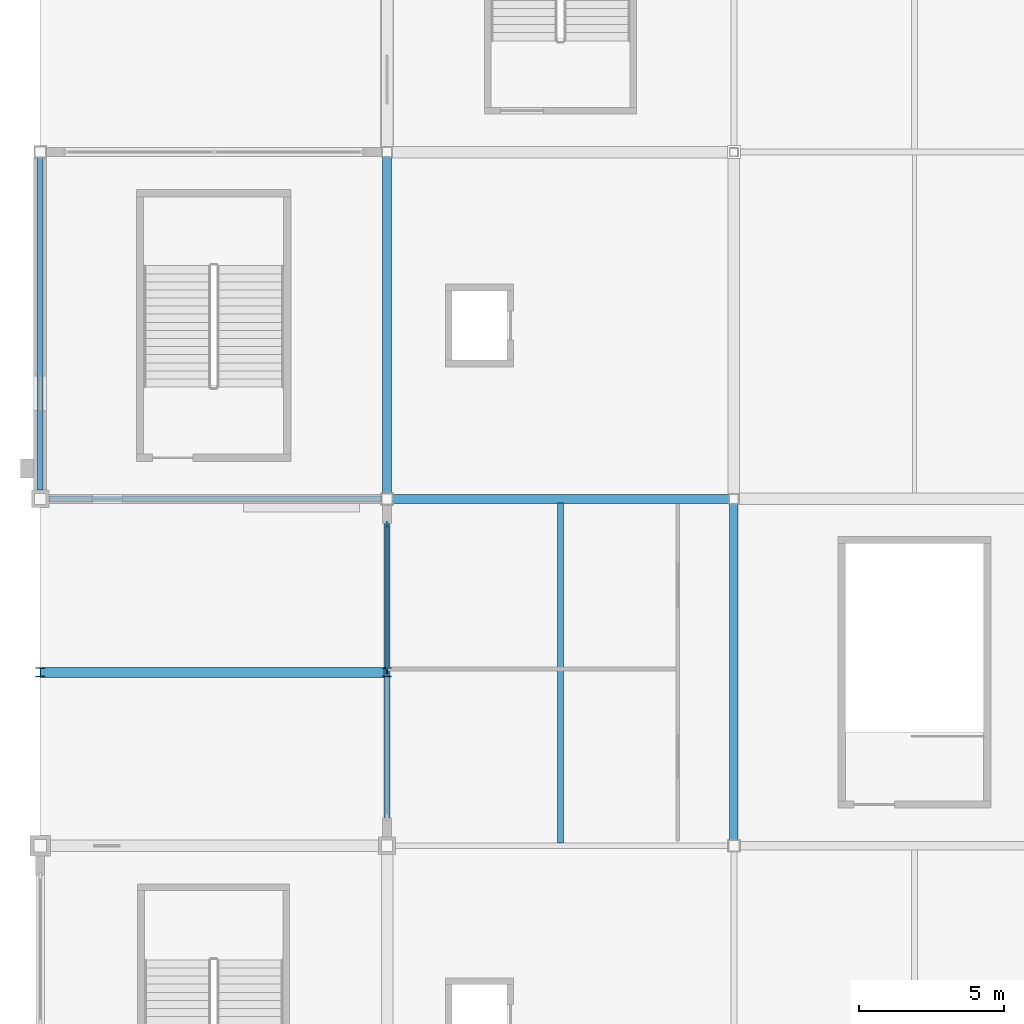
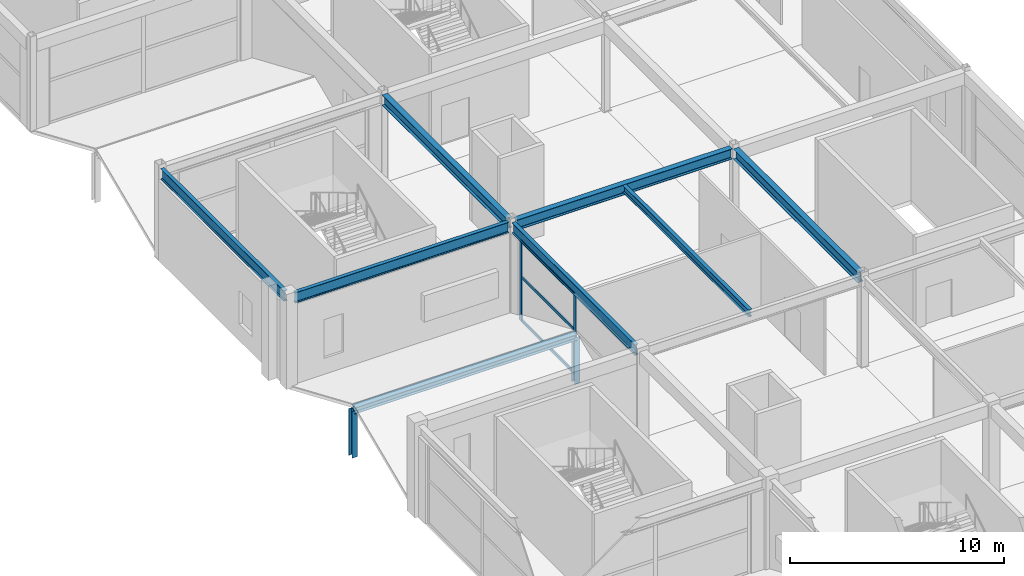
# One storey, part 34 of 105: 8 members, 7 beams, 1 element without a shape of its own.
"""IFC4 building model written with IfcOpenShell, lengths in metres."""

import ifcopenshell
import ifcopenshell.guid

model = None  # the IFC model being written
_history = None  # IfcOwnerHistory: only IFC2X3 demands one
_inside = {}  # id of a spatial element -> (the spatial element, [elements in it])
_under = {}  # id of a project, library or spatial element -> (it, [spatial elements below it])
_declared = {}  # id of a project -> (the project, [libraries it declares])
_typed = {}  # id of a type object -> (the type object, [elements of that type])
_made_of = {}  # id of a material, layer set ... -> (it, [elements and type objects made of it])


def new_model(schema):
    """Start an empty IFC model of exactly this schema.

    Asked for "IFC4X3", IfcOpenShell would pick the latest addendum, in which some entities
    have other attributes; the version numbers below select the first issue.
    IFC2X3 requires an IfcOwnerHistory on every rooted entity: one is made here for all.
    """
    global model, _history
    if schema == "IFC4X3":
        model = ifcopenshell.file(schema_version=(4, 3, 0, 0))
    else:
        model = ifcopenshell.file(schema=schema)
    _inside.clear()
    _under.clear()
    _declared.clear()
    _typed.clear()
    _made_of.clear()
    _history = None
    if model.schema == "IFC2X3":
        org = make("IfcOrganization", Name="unknown")
        user = make(
            "IfcPersonAndOrganization",
            ThePerson=make("IfcPerson", FamilyName="unknown"),
            TheOrganization=org,
        )
        app = make(
            "IfcApplication",
            ApplicationDeveloper=org,
            Version="unknown",
            ApplicationFullName="unknown",
            ApplicationIdentifier="unknown",
        )
        _history = make(
            "IfcOwnerHistory",
            OwningUser=user,
            OwningApplication=app,
            ChangeAction="ADDED",
            CreationDate=0,
        )
    return model


def make(cls, **values):
    """One entity of the class cls with the attributes given. An attribute that is None is left unset."""
    return model.create_entity(
        cls, **{name: value for name, value in values.items() if value is not None}
    )


def rooted(cls, **values):
    """An entity with a GlobalId (a new one), such as an element, a storey or a relation."""
    return make(cls, GlobalId=ifcopenshell.guid.new(), OwnerHistory=_history, **values)


def si_unit(unit_type, name, prefix=None):
    """IfcSIUnit, for example si_unit("LENGTHUNIT", "METRE", prefix="MILLI")."""
    return make("IfcSIUnit", UnitType=unit_type, Prefix=prefix, Name=name)


def assignment(units):
    """IfcUnitAssignment: the units of a project."""
    return None if units is None else make("IfcUnitAssignment", Units=units)


def point(xyz):
    """IfcCartesianPoint."""
    return None if xyz is None else make("IfcCartesianPoint", Coordinates=xyz)


def direction(xyz):
    """IfcDirection."""
    return None if xyz is None else make("IfcDirection", DirectionRatios=xyz)


def frame(location, z_axis=None, x_axis=None):
    """IfcAxis2Placement3D, a coordinate frame: its origin and axes. An axis left out is left unset."""
    return make(
        "IfcAxis2Placement3D",
        Location=point(location),
        Axis=direction(z_axis),
        RefDirection=direction(x_axis),
    )


def frame_2d(location, x_axis=None):
    """IfcAxis2Placement2D, a coordinate frame in the plane: its origin and x axis."""
    return make(
        "IfcAxis2Placement2D", Location=point(location), RefDirection=direction(x_axis)
    )


def origin():
    """The frame at (0, 0, 0) with its axes left unset."""
    return frame((0.0, 0.0, 0.0))


def origin_2d():
    """The frame at (0, 0) in the plane with its x axis left unset."""
    return frame_2d((0.0, 0.0))


def place(relative_to, where):
    """IfcLocalPlacement: puts the frame where relative to a parent placement (None: the world)."""
    return make(
        "IfcLocalPlacement", PlacementRelTo=relative_to, RelativePlacement=where
    )


def context(
    kind, dimensions, precision=None, world=None, true_north=None, identifier=None
):
    """IfcGeometricRepresentationContext, for example the 3D "Model" context."""
    return make(
        "IfcGeometricRepresentationContext",
        ContextIdentifier=identifier,
        ContextType=kind,
        CoordinateSpaceDimension=dimensions,
        Precision=precision,
        WorldCoordinateSystem=world,
        TrueNorth=true_north,
    )


def subcontext(parent, identifier, kind, view, scale=None):
    """IfcGeometricRepresentationSubContext, for example "Body" below "Model"."""
    return make(
        "IfcGeometricRepresentationSubContext",
        ContextIdentifier=identifier,
        ContextType=kind,
        ParentContext=parent,
        TargetScale=scale,
        TargetView=view,
    )


def project(units=None, contexts=None):
    """IfcProject with its units and contexts."""
    return rooted(
        "IfcProject",
        Name="project",
        RepresentationContexts=contexts,
        UnitsInContext=assignment(units),
    )


def spatial(cls, under=None, at=None, **own):
    """A site, building, storey or space (cls), placed at a placement, below another one or the project."""
    s = rooted(cls, ObjectPlacement=at, **own)
    if under is not None:
        _under.setdefault(under.id(), (under, []))[1].append(s)
    return s


def profile(cls, at=None, kind="AREA", **sizes):
    """A parametric profile (cls). Its sizes go by their IFC names, for example OverallWidth=200.0."""
    return make(cls, ProfileType=kind, Position=at, **sizes)


def rectangle(**sizes):
    """IfcRectangleProfileDef."""
    return profile("IfcRectangleProfileDef", **sizes)


def i_section(**sizes):
    """IfcIShapeProfileDef."""
    return profile("IfcIShapeProfileDef", **sizes)


def extrude(swept, where, along, depth):
    """IfcExtrudedAreaSolid: the profile swept, set in the frame where, extruded along a direction by depth."""
    return make(
        "IfcExtrudedAreaSolid",
        SweptArea=swept,
        Position=where,
        ExtrudedDirection=direction(along),
        Depth=depth,
    )


def shape(context_of_items, identifier, shape_type, items):
    """IfcShapeRepresentation: the items that make up one representation, for example the "Body"."""
    return make(
        "IfcShapeRepresentation",
        ContextOfItems=context_of_items,
        RepresentationIdentifier=identifier,
        RepresentationType=shape_type,
        Items=items,
    )


def material(Name=None, Category=None):
    """IfcMaterial."""
    return make("IfcMaterial", Name=Name, Category=Category)


def layer(
    of_material, thickness, ventilated=None, Name=None, Category=None, Priority=None
):
    """IfcMaterialLayer: one layer of a wall or slab, of a material (None: an air gap)."""
    return make(
        "IfcMaterialLayer",
        Material=of_material,
        LayerThickness=thickness,
        IsVentilated=ventilated,
        Name=Name,
        Category=Category,
        Priority=Priority,
    )


def layer_set(layers, Name=None):
    """IfcMaterialLayerSet."""
    return make("IfcMaterialLayerSet", MaterialLayers=layers, LayerSetName=Name)


def material_profile(
    of_material, cross_section, Name=None, Category=None, Priority=None
):
    """IfcMaterialProfile: a cross section and its material."""
    return make(
        "IfcMaterialProfile",
        Name=Name,
        Material=of_material,
        Profile=cross_section,
        Priority=Priority,
        Category=Category,
    )


def profile_set(profiles, Name=None, composite=None):
    """IfcMaterialProfileSet."""
    return make(
        "IfcMaterialProfileSet",
        Name=Name,
        MaterialProfiles=profiles,
        CompositeProfile=composite,
    )


def made_of(thing, what):
    """Note that an element or type object is made of a material, layer set ...; save() writes the relation."""
    if what is not None:
        _made_of.setdefault(what.id(), (what, []))[1].append(thing)
    return thing


def type_object(cls, material=None, **own):
    """A type object (cls), such as IfcWallType, which elements share."""
    return made_of(rooted(cls, **own), material)


def element(
    cls,
    number,
    at=None,
    inside=None,
    cuts=None,
    type_object=None,
    material=None,
    context=None,
    identifier="Body",
    shape_type=None,
    held_by="IfcProductDefinitionShape",
    body=None,
    shapes=None,
    **own,
):
    """One element of the class cls, such as IfcWall. Its Tag is "e" and its number.

    at: its placement. inside: the storey or other place that contains it. cuts: it is an
    opening in that element (IfcRelVoidsElement). A single representation is given by context,
    identifier, shape_type and body (its items); several are given by shapes. held_by: the class
    of the entity that holds the representations. save() writes the other relations.
    """
    e = rooted(cls, Tag="e%d" % number, ObjectPlacement=at, **own)
    if body is not None:
        shapes = [shape(context, identifier, shape_type, body)]
    if shapes is not None:
        e.Representation = make(held_by, Representations=shapes)
    if inside is not None:
        _inside.setdefault(inside.id(), (inside, []))[1].append(e)
    if cuts is not None:
        rooted(
            "IfcRelVoidsElement", RelatingBuildingElement=cuts, RelatedOpeningElement=e
        )
    if type_object is not None:
        _typed.setdefault(type_object.id(), (type_object, []))[1].append(e)
    return made_of(e, material)


def aggregate(whole, parts):
    """IfcRelAggregates: a whole, such as a stair, and the parts it consists of."""
    return rooted("IfcRelAggregates", RelatingObject=whole, RelatedObjects=parts)


def save(model, path):
    """Write the relations noted so far, then the file.

    IfcRelAggregates (storeys below a building ...), IfcRelContainedInSpatialStructure (elements
    in a storey), IfcRelDefinesByType, IfcRelAssociatesMaterial and IfcRelDeclares: one each for
    every whole, place, type object, material and project.
    """
    for whole, parts in _under.values():
        aggregate(whole, parts)
    for where, things in _inside.values():
        rooted(
            "IfcRelContainedInSpatialStructure",
            RelatedElements=things,
            RelatingStructure=where,
        )
    for kind, things in _typed.values():
        rooted("IfcRelDefinesByType", RelatedObjects=things, RelatingType=kind)
    for what, things in _made_of.values():
        rooted("IfcRelAssociatesMaterial", RelatedObjects=things, RelatingMaterial=what)
    for by, libraries in _declared.values():
        rooted("IfcRelDeclares", RelatingContext=by, RelatedDefinitions=libraries)
    model.write(path)


model = new_model("IFC4")

# Units and contexts
model_context = context("Model", 3, precision=1e-05, world=origin(), true_north=direction((0.0, 1.0)))
body_context = subcontext(model_context, "Body", "Model", "MODEL_VIEW")
ifc_project = project(units=[si_unit("LENGTHUNIT", "METRE"), si_unit("AREAUNIT", "SQUARE_METRE"), si_unit("VOLUMEUNIT", "CUBIC_METRE"), si_unit("PLANEANGLEUNIT", "RADIAN"), si_unit("MASSUNIT", "GRAM", prefix="KILO")], contexts=[model_context])

# Site, building, storey
site_placement = place(None, origin())
site = spatial("IfcSite", under=ifc_project, at=site_placement, CompositionType="ELEMENT")
building_placement = place(site_placement, origin())
building = spatial("IfcBuilding", under=site, at=building_placement, Name="Kazenohara Klinker Stadium", CompositionType="ELEMENT")
storey_placement = place(building_placement, frame((0.0, 0.0, 20.39990234375)))
storey = spatial("IfcBuildingStorey", under=building, at=storey_placement, Name="L04", CompositionType="ELEMENT", Elevation=20.39990234375)

# Beams
ifc_material_1 = material(Name="Steel S355", Category="steel")
ifc_material_profile_1 = material_profile(ifc_material_1, i_section(OverallWidth=0.199951171875, OverallDepth=0.39990234375, WebThickness=0.008056640625, FlangeThickness=0.012939453125, FilletRadius=0.012939453125, at=origin_2d()), Name="H-400x200x8x13")
ifc_profile_set_1 = profile_set([ifc_material_profile_1], Name="Steel S355")
beam_type_1 = type_object("IfcBeamType", Name="BM-JST03", PredefinedType="JOIST", material=ifc_profile_set_1)
beam_placement = place(storey_placement, frame((18.0, 72.10009765625, 4.97998046875), z_axis=(0.0, 1.0, 0.0), x_axis=(-1.0, 0.0, 0.0)))
element("IfcBeam", 1, at=beam_placement, inside=storey, type_object=beam_type_1, Name="Secondary floor joist SJ03 L04 2/G", PredefinedType="JOIST", context=body_context, shape_type="SweptSolid", body=[
    extrude(i_section(OverallWidth=0.199951171875, OverallDepth=0.39990234375, WebThickness=0.008056640625, FlangeThickness=0.012939453125, FilletRadius=0.012939453125, at=origin_2d()), origin(), (0.0, 0.0, 1.0), 11.75),
])
ifc_material_profile_2 = material_profile(ifc_material_1, i_section(OverallWidth=0.199951171875, OverallDepth=0.60009765625, WebThickness=0.010986328125, FlangeThickness=0.01708984375, FilletRadius=0.012939453125, at=origin_2d()), Name="H-600x200x11x17")
ifc_profile_set_2 = profile_set([ifc_material_profile_2], Name="Steel S355")
beam_type_2 = type_object("IfcBeamType", Name="BM-ST04", PredefinedType="BEAM", material=ifc_profile_set_2)
for number, where, z_axis, x_axis, name in (
    (2, (0.300048828125, 84.0, 4.880126953125), (1.0, 0.0, 0.0), (0.0, 1.0, 0.0), "Primary girder SB04 L04 1-2/H"),
    (3, (0.0, 84.300048828125, 4.880126953125), (0.0, 1.0, 0.0), (-1.0, 0.0, 0.0), "Primary girder SB04 L04 1/H-J"),
    (4, (12.0, 72.300048828125, 4.880126953125), (0.0, 1.0, 0.0), (-1.0, 0.0, 0.0), "Primary girder SB04 L04 2/G-H"),
):
    element("IfcBeam", number, at=place(storey_placement, frame(where, z_axis=z_axis, x_axis=x_axis)), inside=storey, type_object=beam_type_2, Name=name, PredefinedType="BEAM", context=body_context, shape_type="SweptSolid", body=[
        extrude(i_section(OverallWidth=0.199951171875, OverallDepth=0.60009765625, WebThickness=0.010986328125, FlangeThickness=0.01708984375, FilletRadius=0.012939453125, at=origin_2d()), origin(), (0.0, 0.0, 1.0), 11.5),
    ])
ifc_material_profile_3 = material_profile(ifc_material_1, i_section(OverallWidth=0.300048828125, OverallDepth=0.587890625, WebThickness=0.011962890625, FlangeThickness=0.02001953125, FilletRadius=0.02197265625, at=origin_2d()), Name="H-588x300x12x20")
ifc_profile_set_3 = profile_set([ifc_material_profile_3], Name="Steel S355")
beam_type_3 = type_object("IfcBeamType", Name="BM-ST05", PredefinedType="BEAM", material=ifc_profile_set_3)
for number, where, z_axis, x_axis, name in (
    (5, (12.199951171875, 84.0, 4.885986328125), (1.0, 0.0, 0.0), (0.0, 1.0, 0.0), "Primary girder SB05 L04 2-3/H"),
    (6, (12.0, 84.199951171875, 4.885986328125), (0.0, 1.0, 0.0), (-1.0, 0.0, 0.0), "Primary girder SB05 L04 2/H-J"),
    (7, (24.0, 72.199951171875, 4.885986328125), (0.0, 1.0, 0.0), (-1.0, 0.0, 0.0), "Primary girder SB05 L04 3/G-H"),
):
    element("IfcBeam", number, at=place(storey_placement, frame(where, z_axis=z_axis, x_axis=x_axis)), inside=storey, type_object=beam_type_3, Name=name, PredefinedType="BEAM", context=body_context, shape_type="SweptSolid", body=[
        extrude(i_section(OverallWidth=0.300048828125, OverallDepth=0.587890625, WebThickness=0.011962890625, FlangeThickness=0.02001953125, FilletRadius=0.02197265625, at=origin_2d()), origin(), (0.0, 0.0, 1.0), 11.625),
    ])

# Curtain wall, members
ifc_material_2 = material(Name="Anodised aluminium and triple glazing", Category="aluminium")
ifc_layer = layer(ifc_material_2, 0.169921875)
ifc_layer_set = layer_set([ifc_layer], Name="Anodised aluminium and triple glazing")
curtain_wall_type = type_object("IfcCurtainWallType", Name="CW-SYS-04", PredefinedType="USERDEFINED", material=ifc_layer_set)
curtain_wall_placement = place(storey_placement, origin())
curtain_wall = element("IfcCurtainWall", 8, at=curtain_wall_placement, inside=storey, type_object=curtain_wall_type, Name="Unitised facade curtain wall CW04 L04 Y1-6", ObjectType="UNITISED CURTAIN WALL", PredefinedType="USERDEFINED")
ifc_material_3 = material(Name="Anodised aluminium 6063-T6", Category="aluminium")
ifc_material_profile_4 = material_profile(ifc_material_3, rectangle(XDim=0.074951171875, YDim=0.219970703125, at=origin_2d()), Name="ALU-MUL-75x220")
ifc_profile_set_4 = profile_set([ifc_material_profile_4], Name="Anodised aluminium 6063-T6")
member_type_1 = type_object("IfcMemberType", Name="CW-MUL-220", PredefinedType="MULLION", material=ifc_profile_set_4)
member_1_placement = place(storey_placement, frame((12.0, 78.050048828125, 0.0), z_axis=(0.0, 0.0, 1.0), x_axis=(-1.0, 0.0, 0.0)))
member_1 = element("IfcMember", 9, at=member_1_placement, type_object=member_type_1, Name="CW04 mullion 2", PredefinedType="MULLION", context=body_context, shape_type="SweptSolid", body=[
    extrude(rectangle(XDim=0.074951171875, YDim=0.219970703125, at=origin_2d()), origin(), (0.0, 0.0, 1.0), 4.580078125),
])
member_2_placement = place(storey_placement, frame((12.0, 83.1083984375, 0.0), z_axis=(0.0, 0.0, 1.0), x_axis=(-1.0, 0.0, 0.0)))
member_2 = element("IfcMember", 10, at=member_2_placement, type_object=member_type_1, Name="CW04 mullion 3", PredefinedType="MULLION", context=body_context, shape_type="SweptSolid", body=[
    extrude(rectangle(XDim=0.074951171875, YDim=0.219970703125, at=origin_2d()), origin(), (0.0, 0.0, 1.0), 4.580078125),
])
ifc_material_profile_5 = material_profile(ifc_material_3, rectangle(XDim=0.074951171875, YDim=0.159912109375, at=origin_2d()), Name="ALU-TRN-75x160")
ifc_profile_set_5 = profile_set([ifc_material_profile_5], Name="Anodised aluminium 6063-T6")
member_type_2 = type_object("IfcMemberType", Name="CW-TRN-160", PredefinedType="USERDEFINED", material=ifc_profile_set_5)
member_3_placement = place(storey_placement, frame((12.0, 78.08740234375, 0.03759765625), z_axis=(0.0, 1.0, 0.0), x_axis=(-1.0, 0.0, 0.0)))
member_3 = element("IfcMember", 11, at=member_3_placement, type_object=member_type_2, Name="CW04 transom 2.1", ObjectType="TRANSOM", PredefinedType="USERDEFINED", context=body_context, shape_type="SweptSolid", body=[
    extrude(rectangle(XDim=0.074951171875, YDim=0.159912109375, at=origin_2d()), origin(), (0.0, 0.0, 1.0), 4.983642578125),
])
member_4_placement = place(storey_placement, frame((12.0, 78.08740234375, 2.51904296875), z_axis=(0.0, 1.0, 0.0), x_axis=(-1.0, 0.0, 0.0)))
member_4 = element("IfcMember", 12, at=member_4_placement, type_object=member_type_2, Name="CW04 transom 2.2", ObjectType="TRANSOM", PredefinedType="USERDEFINED", context=body_context, shape_type="SweptSolid", body=[
    extrude(rectangle(XDim=0.074951171875, YDim=0.159912109375, at=origin_2d()), origin(), (0.0, 0.0, 1.0), 4.983642578125),
])
member_5_placement = place(storey_placement, frame((12.0, 78.08740234375, 4.54248046875), z_axis=(0.0, 1.0, 0.0), x_axis=(-1.0, 0.0, 0.0)))
member_5 = element("IfcMember", 13, at=member_5_placement, type_object=member_type_2, Name="CW04 transom 2.3", ObjectType="TRANSOM", PredefinedType="USERDEFINED", context=body_context, shape_type="SweptSolid", body=[
    extrude(rectangle(XDim=0.074951171875, YDim=0.159912109375, at=origin_2d()), origin(), (0.0, 0.0, 1.0), 4.983642578125),
])
aggregate(curtain_wall, [member_1, member_2, member_3, member_4, member_5])

# Members
ifc_material_profile_6 = material_profile(ifc_material_1, i_section(OverallWidth=0.35009765625, OverallDepth=0.35009765625, WebThickness=0.011962890625, FlangeThickness=0.01904296875, FilletRadius=0.012939453125, at=origin_2d()), Name="H-350x350x12x19")
ifc_profile_set_6 = profile_set([ifc_material_profile_6], Name="Steel S355")
member_type_3 = type_object("IfcMemberType", Name="MEM-CHD02", PredefinedType="CHORD", material=ifc_profile_set_6)
member_6_placement = place(storey_placement, frame((0.0, 78.0, 2.22998046875), z_axis=(1.0, 0.0, 0.0), x_axis=(0.0, 1.0, 0.0)))
element("IfcMember", 14, at=member_6_placement, inside=storey, type_object=member_type_3, Name="Stepped pavilion gable ridge beam L04 1/G", PredefinedType="CHORD", context=body_context, shape_type="SweptSolid", body=[
    extrude(i_section(OverallWidth=0.35009765625, OverallDepth=0.35009765625, WebThickness=0.011962890625, FlangeThickness=0.01904296875, FilletRadius=0.012939453125, at=origin_2d()), origin(), (0.0, 0.0, 1.0), 12.0),
])
ifc_material_profile_7 = material_profile(ifc_material_1, i_section(OverallWidth=0.300048828125, OverallDepth=0.300048828125, WebThickness=0.010009765625, FlangeThickness=0.014892578125, FilletRadius=0.012939453125, at=origin_2d()), Name="H-300x300x10x15")
ifc_profile_set_7 = profile_set([ifc_material_profile_7], Name="Steel S355")
member_type_4 = type_object("IfcMemberType", Name="MEM-STR01", PredefinedType="STRUT", material=ifc_profile_set_7)
for number, where, z_axis, x_axis, name in (
    (15, (0.0, 78.0, -0.429931640625), (0.0, 0.0, 1.0), (1.0, 0.0, 0.0), "Stepped pavilion gable king-post L04 1/G W"),
    (16, (12.0, 78.0, -0.429931640625), (0.0, 0.0, 1.0), (1.0, 0.0, 0.0), "Stepped pavilion gable king-post L04 1/G E"),
):
    element("IfcMember", number, at=place(storey_placement, frame(where, z_axis=z_axis, x_axis=x_axis)), inside=storey, type_object=member_type_4, Name=name, PredefinedType="STRUT", context=body_context, shape_type="SweptSolid", body=[
        extrude(i_section(OverallWidth=0.300048828125, OverallDepth=0.300048828125, WebThickness=0.010009765625, FlangeThickness=0.014892578125, FilletRadius=0.012939453125, at=origin_2d()), origin(), (0.0, 0.0, 1.0), 2.659912109375),
    ])

save(model, "model.ifc")
